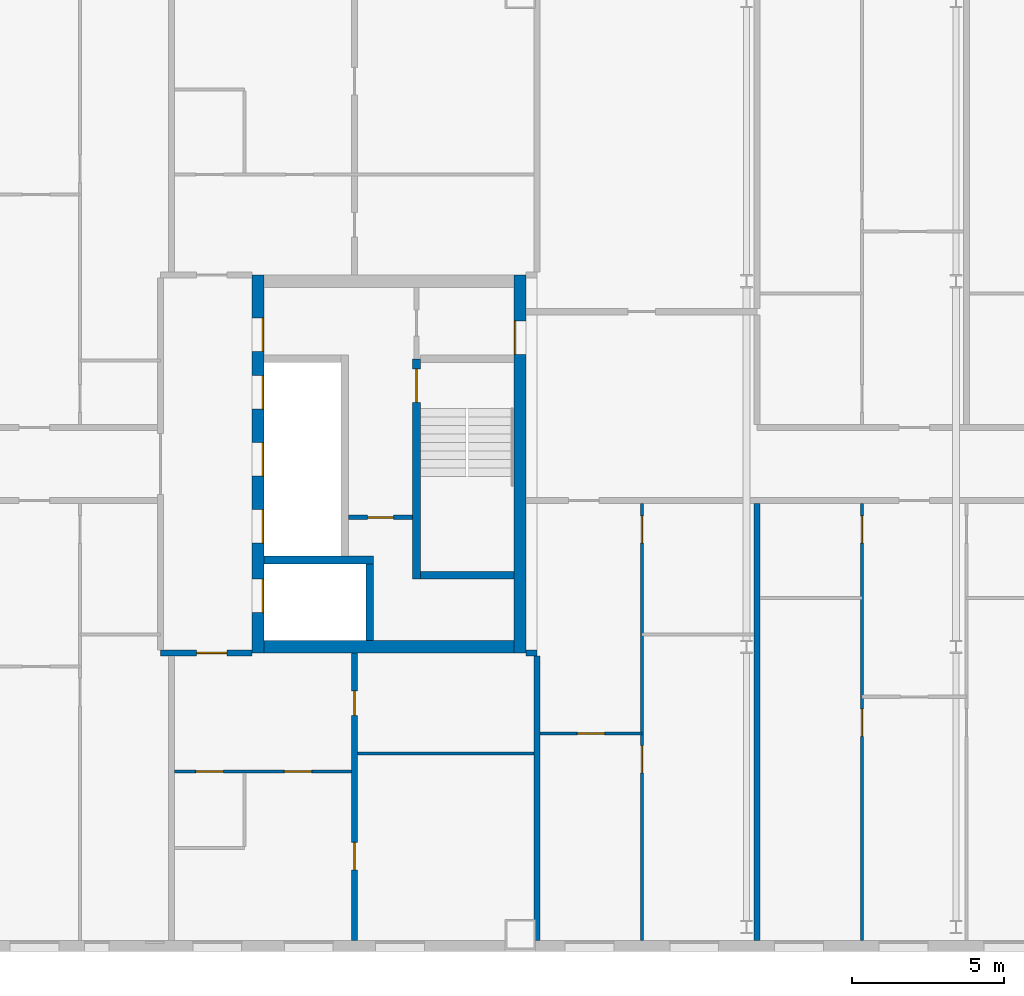
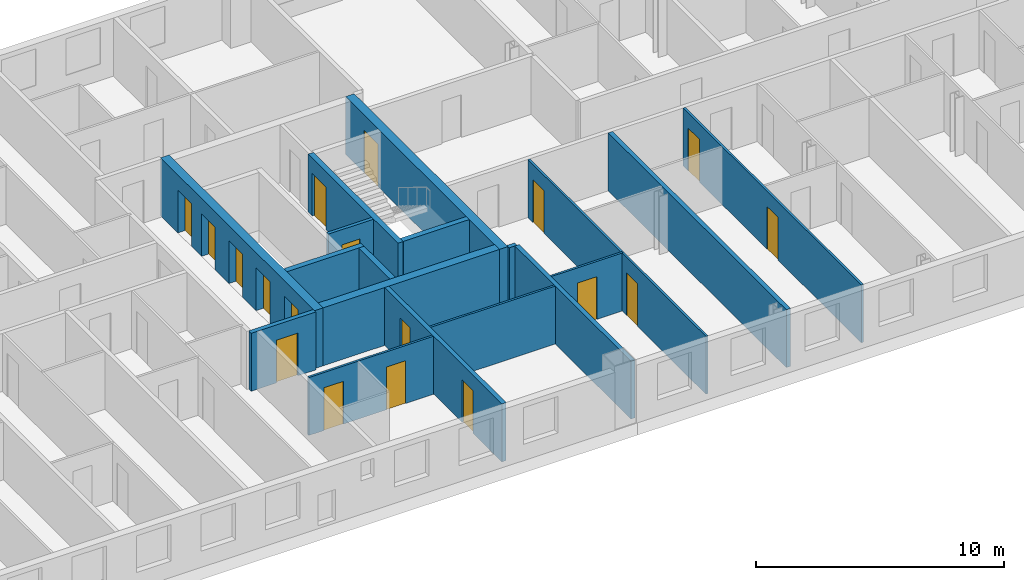
# One storey, part 8 of 19: 18 doors, 18 walls, 18 openings.
"""IFC4 building model written with IfcOpenShell, lengths in metres."""

from ifc_helpers import new_model, si_unit, direction, frame, frame_2d, origin, place, context, subcontext, project, spatial, rectangle, extrude, material, layer, layer_set, type_object, element, fill, save


model = new_model("IFC4")

# Units and contexts
model_context = context("Model", 3, precision=1e-05, world=origin(), true_north=direction((0.0, 1.0)))
body_context = subcontext(model_context, "Body", "Model", "MODEL_VIEW")
ifc_project = project(units=[si_unit("LENGTHUNIT", "METRE"), si_unit("AREAUNIT", "SQUARE_METRE"), si_unit("VOLUMEUNIT", "CUBIC_METRE"), si_unit("PLANEANGLEUNIT", "RADIAN"), si_unit("MASSUNIT", "GRAM", prefix="KILO")], contexts=[model_context])

# Site, building, storey
site_placement = place(None, origin())
site = spatial("IfcSite", under=ifc_project, at=site_placement, CompositionType="ELEMENT")
building_placement = place(site_placement, origin())
building = spatial("IfcBuilding", under=site, at=building_placement, Name="Tuart Gate Housing", CompositionType="ELEMENT")
storey_placement = place(building_placement, frame((0.0, 0.0, 221.39990234375)))
storey = spatial("IfcBuildingStorey", under=building, at=storey_placement, Name="L62", CompositionType="ELEMENT", Elevation=221.39990234375)

# Wall, opening, door
ifc_material_1 = material(Name="Plasterboard partition")
ifc_layer_1 = layer(ifc_material_1, 0.14990234375)
ifc_layer_set_1 = layer_set([ifc_layer_1], Name="Core partition 150")
wall_type_1 = type_object("IfcWallType", Name="Core partition 150", PredefinedType="PARTITIONING", material=ifc_layer_set_1)
wall_1_placement = place(storey_placement, frame((69.81494140625, 68.25, 0.0), z_axis=(0.0, 0.0, 1.0), x_axis=(1.0, 0.0, 0.0)))
wall_1 = element("IfcWall", 1, at=wall_1_placement, inside=storey, type_object=wall_type_1, Name="Core partition AG.3", PredefinedType="PARTITIONING", context=body_context, shape_type="SweptSolid", body=[
    extrude(rectangle(XDim=2.10009765625, YDim=0.14990234375, at=frame_2d((1.050048828125, 0.0))), origin(), (0.0, 0.0, 1.0), 2.85009765625),
])
opening_1_placement = place(wall_1_placement, frame((0.625, 0.0, 0.0)))
opening_1 = element("IfcOpeningElement", 2, at=opening_1_placement, cuts=wall_1, Name="Opening D2311", PredefinedType="OPENING", context=body_context, shape_type="SweptSolid", body=[
    extrude(rectangle(XDim=0.85009765625, YDim=2.10009765625, at=frame_2d((0.425048828125, 1.050048828125))), frame((0.0, 0.0849609375, 0.0), z_axis=(0.0, -1.0, 0.0), x_axis=(1.0, 0.0, 0.0)), (0.0, 0.0, 1.0), 0.169921875),
])
ifc_material_2 = material(Name="Steel fire door", Category="steel")
door_type_1 = type_object("IfcDoorType", Name="Riser door 850 x 2100 RH", OperationType="SINGLE_SWING_RIGHT", PredefinedType="DOOR", material=ifc_material_2)
door_1_placement = place(opening_1_placement, frame((0.85009765625, 0.0, 0.0), z_axis=(0.0, 0.0, 1.0), x_axis=(-1.0, 0.0, 0.0)))
door_1 = element("IfcDoor", 3, at=door_1_placement, inside=storey, type_object=door_type_1, Name="Service room door AG.E1", OperationType="SINGLE_SWING_RIGHT", OverallHeight=2.10009765625, OverallWidth=0.85009765625, PredefinedType="DOOR", context=body_context, shape_type="SweptSolid", body=[
    extrude(rectangle(XDim=0.85009765625, YDim=2.10009765625, at=frame_2d((0.425048828125, 1.050048828125))), frame((0.0, 0.025146484375, 0.0), z_axis=(0.0, -1.0, 0.0), x_axis=(1.0, 0.0, 0.0)), (0.0, 0.0, 1.0), 0.050048828125),
])
fill(opening_1, door_1)

# Walls
ifc_material_3 = material(Name="Concrete C40", Category="concrete")
ifc_layer_2 = layer(ifc_material_3, 0.25)
ifc_layer_set_2 = layer_set([ifc_layer_2], Name="Core wall 250 C40")
wall_type_2 = type_object("IfcWallType", Name="Core wall 250 C40", PredefinedType="SHEAR", material=ifc_layer_set_2)
wall_2_placement = place(storey_placement, frame((72.1650390625, 66.35009765625, 0.0), z_axis=(0.0, 0.0, 1.0), x_axis=(1.0, 0.0, 0.0)))
element("IfcWall", 4, at=wall_2_placement, inside=storey, type_object=wall_type_2, Name="Core wall AG.1", PredefinedType="SHEAR", context=body_context, shape_type="SweptSolid", body=[
    extrude(rectangle(XDim=3.074951171875, YDim=0.25, at=frame_2d((1.53759765625, 0.0))), origin(), (0.0, 0.0, 1.0), 2.85009765625),
])
wall_3_placement = place(storey_placement, frame((67.0400390625, 66.85009765625, 0.0), z_axis=(0.0, 0.0, 1.0), x_axis=(1.0, 0.0, 0.0)))
element("IfcWall", 5, at=wall_3_placement, inside=storey, type_object=wall_type_2, Name="Core wall AG.2", PredefinedType="SHEAR", context=body_context, shape_type="SweptSolid", body=[
    extrude(rectangle(XDim=3.594970703125, YDim=0.25, at=frame_2d((1.79736328125, 0.0))), origin(), (0.0, 0.0, 1.0), 2.85009765625),
])
wall_4_placement = place(storey_placement, frame((70.510009765625, 64.199951171875, 0.0), z_axis=(0.0, 0.0, 1.0), x_axis=(0.0, 1.0, 0.0)))
element("IfcWall", 6, at=wall_4_placement, inside=storey, type_object=wall_type_2, Name="Core wall AG.7", PredefinedType="SHEAR", context=body_context, shape_type="SweptSolid", body=[
    extrude(rectangle(XDim=2.525146484375, YDim=0.25, at=frame_2d((1.2626953125, 0.0))), origin(), (0.0, 0.0, 1.0), 2.85009765625),
])

# Wall, opening, door
wall_5_placement = place(storey_placement, frame((72.0400390625, 66.22509765625, 0.0), z_axis=(0.0, 0.0, 1.0), x_axis=(0.0, 1.0, 0.0)))
wall_5 = element("IfcWall", 7, at=wall_5_placement, inside=storey, type_object=wall_type_2, Name="Core wall AG.8", PredefinedType="SHEAR", context=body_context, shape_type="SweptSolid", body=[
    extrude(rectangle(XDim=7.224853515625, YDim=0.25, at=frame_2d((3.6123046875, 0.0))), origin(), (0.0, 0.0, 1.0), 2.85009765625),
])
opening_2_placement = place(wall_5_placement, frame((5.800048828125, 0.0, 0.0)))
opening_2 = element("IfcOpeningElement", 8, at=opening_2_placement, cuts=wall_5, Name="Opening D2307", PredefinedType="OPENING", context=body_context, shape_type="SweptSolid", body=[
    extrude(rectangle(XDim=1.10009765625, YDim=2.10009765625, at=frame_2d((0.550048828125, 1.050048828125))), frame((0.0, 0.135009765625, 0.0), z_axis=(0.0, -1.0, 0.0), x_axis=(1.0, 0.0, 0.0)), (0.0, 0.0, 1.0), 0.27001953125),
])
ifc_material_4 = material(Name="Steel fire door", Category="steel")
door_type_2 = type_object("IfcDoorType", Name="Stair door 1100 x 2100", OperationType="SINGLE_SWING_LEFT", PredefinedType="DOOR", material=ifc_material_4)
door_2_placement = place(opening_2_placement, frame((1.10009765625, 0.0, 0.0), z_axis=(0.0, 0.0, 1.0), x_axis=(-1.0, 0.0, 0.0)))
door_2 = element("IfcDoor", 9, at=door_2_placement, inside=storey, type_object=door_type_2, Name="Stair door AG.SD", OperationType="SINGLE_SWING_LEFT", OverallHeight=2.10009765625, OverallWidth=1.10009765625, PredefinedType="DOOR", context=body_context, shape_type="SweptSolid", body=[
    extrude(rectangle(XDim=1.10009765625, YDim=2.10009765625, at=frame_2d((0.550048828125, 1.050048828125))), frame((0.0, 0.025146484375, 0.0), z_axis=(0.0, -1.0, 0.0), x_axis=(1.0, 0.0, 0.0)), (0.0, 0.0, 1.0), 0.050048828125),
])
fill(opening_2, door_2)

# Wall, openings, doors
ifc_material_5 = material(Name="Concrete C40", Category="concrete")
ifc_layer_3 = layer(ifc_material_5, 0.39990234375)
ifc_layer_set_3 = layer_set([ifc_layer_3], Name="Core wall 400 C40")
wall_type_3 = type_object("IfcWallType", Name="Core wall 400 C40", PredefinedType="SHEAR", material=ifc_layer_set_3)
wall_6_placement = place(storey_placement, frame((66.840087890625, 63.800048828125, 0.0), z_axis=(0.0, 0.0, 1.0), x_axis=(0.0, 1.0, 0.0)))
wall_6 = element("IfcWall", 10, at=wall_6_placement, inside=storey, type_object=wall_type_3, Name="Core wall AG front", PredefinedType="SHEAR", context=body_context, shape_type="SweptSolid", body=[
    extrude(rectangle(XDim=12.39990234375, YDim=0.39990234375, at=frame_2d((6.199951171875, 0.0))), origin(), (0.0, 0.0, 1.0), 2.85009765625),
])
opening_3_placement = place(wall_6_placement, frame((1.324951171875, 0.0, 0.0)))
opening_3 = element("IfcOpeningElement", 11, at=opening_3_placement, cuts=wall_6, Name="Opening LD-FA1", PredefinedType="OPENING", context=body_context, shape_type="SweptSolid", body=[
    extrude(rectangle(XDim=1.10009765625, YDim=2.10009765625, at=frame_2d((0.550048828125, 1.050048828125))), frame((0.0, 0.2099609375, 0.0), z_axis=(0.0, -1.0, 0.0), x_axis=(1.0, 0.0, 0.0)), (0.0, 0.0, 1.0), 0.419921875),
])
opening_4_placement = place(wall_6_placement, frame((3.60009765625, 0.0, 0.0)))
opening_4 = element("IfcOpeningElement", 12, at=opening_4_placement, cuts=wall_6, Name="Opening LD-LA1", PredefinedType="OPENING", context=body_context, shape_type="SweptSolid", body=[
    extrude(rectangle(XDim=1.10009765625, YDim=2.10009765625, at=frame_2d((0.550048828125, 1.050048828125))), frame((0.0, 0.2099609375, 0.0), z_axis=(0.0, -1.0, 0.0), x_axis=(1.0, 0.0, 0.0)), (0.0, 0.0, 1.0), 0.419921875),
])
opening_5_placement = place(wall_6_placement, frame((5.800048828125, 0.0, 0.0)))
opening_5 = element("IfcOpeningElement", 13, at=opening_5_placement, cuts=wall_6, Name="Opening LD-LA2", PredefinedType="OPENING", context=body_context, shape_type="SweptSolid", body=[
    extrude(rectangle(XDim=1.10009765625, YDim=2.10009765625, at=frame_2d((0.550048828125, 1.050048828125))), frame((0.0, 0.2099609375, 0.0), z_axis=(0.0, -1.0, 0.0), x_axis=(1.0, 0.0, 0.0)), (0.0, 0.0, 1.0), 0.419921875),
])
opening_6_placement = place(wall_6_placement, frame((8.0, 0.0, 0.0)))
opening_6 = element("IfcOpeningElement", 14, at=opening_6_placement, cuts=wall_6, Name="Opening LD-LA3", PredefinedType="OPENING", context=body_context, shape_type="SweptSolid", body=[
    extrude(rectangle(XDim=1.10009765625, YDim=2.10009765625, at=frame_2d((0.550048828125, 1.050048828125))), frame((0.0, 0.2099609375, 0.0), z_axis=(0.0, -1.0, 0.0), x_axis=(1.0, 0.0, 0.0)), (0.0, 0.0, 1.0), 0.419921875),
])
opening_7_placement = place(wall_6_placement, frame((9.89990234375, 0.0, 0.0)))
opening_7 = element("IfcOpeningElement", 15, at=opening_7_placement, cuts=wall_6, Name="Opening D2305", PredefinedType="OPENING", context=body_context, shape_type="SweptSolid", body=[
    extrude(rectangle(XDim=1.10009765625, YDim=2.10009765625, at=frame_2d((0.550048828125, 1.050048828125))), frame((0.0, 0.2099609375, 0.0), z_axis=(0.0, -1.0, 0.0), x_axis=(1.0, 0.0, 0.0)), (0.0, 0.0, 1.0), 0.419921875),
])
ifc_material_6 = material(Name="Stainless steel", Category="steel")
door_type_3 = type_object("IfcDoorType", Name="Landing door 1100 x 2100", OperationType="DOUBLE_DOOR_SLIDING", PredefinedType="DOOR", material=ifc_material_6)
door_3_placement = place(opening_3_placement, origin())
door_3 = element("IfcDoor", 16, at=door_3_placement, inside=storey, type_object=door_type_3, Name="Lift landing door FA1", OperationType="DOUBLE_DOOR_SLIDING", OverallHeight=2.10009765625, OverallWidth=1.10009765625, PredefinedType="DOOR", context=body_context, shape_type="SweptSolid", body=[
    extrude(rectangle(XDim=1.10009765625, YDim=2.10009765625, at=frame_2d((0.550048828125, 1.050048828125))), frame((0.0, -0.134765625, 0.0), z_axis=(0.0, -1.0, 0.0), x_axis=(1.0, 0.0, 0.0)), (0.0, 0.0, 1.0), 0.050048828125),
])
fill(opening_3, door_3)
door_4_placement = place(opening_4_placement, origin())
door_4 = element("IfcDoor", 17, at=door_4_placement, inside=storey, type_object=door_type_3, Name="Lift landing door LA1", OperationType="DOUBLE_DOOR_SLIDING", OverallHeight=2.10009765625, OverallWidth=1.10009765625, PredefinedType="DOOR", context=body_context, shape_type="SweptSolid", body=[
    extrude(rectangle(XDim=1.10009765625, YDim=2.10009765625, at=frame_2d((0.550048828125, 1.050048828125))), frame((0.0, -0.134765625, 0.0), z_axis=(0.0, -1.0, 0.0), x_axis=(1.0, 0.0, 0.0)), (0.0, 0.0, 1.0), 0.050048828125),
])
fill(opening_4, door_4)
door_5_placement = place(opening_5_placement, origin())
door_5 = element("IfcDoor", 18, at=door_5_placement, inside=storey, type_object=door_type_3, Name="Lift landing door LA2", OperationType="DOUBLE_DOOR_SLIDING", OverallHeight=2.10009765625, OverallWidth=1.10009765625, PredefinedType="DOOR", context=body_context, shape_type="SweptSolid", body=[
    extrude(rectangle(XDim=1.10009765625, YDim=2.10009765625, at=frame_2d((0.550048828125, 1.050048828125))), frame((0.0, -0.134765625, 0.0), z_axis=(0.0, -1.0, 0.0), x_axis=(1.0, 0.0, 0.0)), (0.0, 0.0, 1.0), 0.050048828125),
])
fill(opening_5, door_5)
door_6_placement = place(opening_6_placement, origin())
door_6 = element("IfcDoor", 19, at=door_6_placement, inside=storey, type_object=door_type_3, Name="Lift landing door LA3", OperationType="DOUBLE_DOOR_SLIDING", OverallHeight=2.10009765625, OverallWidth=1.10009765625, PredefinedType="DOOR", context=body_context, shape_type="SweptSolid", body=[
    extrude(rectangle(XDim=1.10009765625, YDim=2.10009765625, at=frame_2d((0.550048828125, 1.050048828125))), frame((0.0, -0.134765625, 0.0), z_axis=(0.0, -1.0, 0.0), x_axis=(1.0, 0.0, 0.0)), (0.0, 0.0, 1.0), 0.050048828125),
])
fill(opening_6, door_6)
ifc_material_7 = material(Name="Steel fire door", Category="steel")
door_type_4 = type_object("IfcDoorType", Name="Lobby door 1100 x 2100 RH", OperationType="SINGLE_SWING_RIGHT", PredefinedType="DOOR", material=ifc_material_7)
door_7_placement = place(opening_7_placement, frame((1.10009765625, 0.0, 0.0), z_axis=(0.0, 0.0, 1.0), x_axis=(-1.0, 0.0, 0.0)))
door_7 = element("IfcDoor", 20, at=door_7_placement, inside=storey, type_object=door_type_4, Name="Lobby entry door AG.EN", OperationType="SINGLE_SWING_RIGHT", OverallHeight=2.10009765625, OverallWidth=1.10009765625, PredefinedType="DOOR", context=body_context, shape_type="SweptSolid", body=[
    extrude(rectangle(XDim=1.10009765625, YDim=2.10009765625, at=frame_2d((0.550048828125, 1.050048828125))), frame((0.0, 0.184814453125, 0.0), z_axis=(0.0, -1.0, 0.0), x_axis=(1.0, 0.0, 0.0)), (0.0, 0.0, 1.0), 0.050048828125),
])
fill(opening_7, door_7)

# Wall, opening, door
wall_7_placement = place(storey_placement, frame((75.43994140625, 63.800048828125, 0.0), z_axis=(0.0, 0.0, 1.0), x_axis=(0.0, 1.0, 0.0)))
wall_7 = element("IfcWall", 21, at=wall_7_placement, inside=storey, type_object=wall_type_3, Name="Core wall AG back", PredefinedType="SHEAR", context=body_context, shape_type="SweptSolid", body=[
    extrude(rectangle(XDim=12.39990234375, YDim=0.39990234375, at=frame_2d((6.199951171875, 0.0))), origin(), (0.0, 0.0, 1.0), 2.85009765625),
])
opening_8_placement = place(wall_7_placement, frame((9.800048828125, 0.0, 0.0)))
opening_8 = element("IfcOpeningElement", 22, at=opening_8_placement, cuts=wall_7, Name="Opening D2306", PredefinedType="OPENING", context=body_context, shape_type="SweptSolid", body=[
    extrude(rectangle(XDim=1.10009765625, YDim=2.10009765625, at=frame_2d((0.550048828125, 1.050048828125))), frame((0.0, 0.2099609375, 0.0), z_axis=(0.0, -1.0, 0.0), x_axis=(1.0, 0.0, 0.0)), (0.0, 0.0, 1.0), 0.419921875),
])
ifc_material_8 = material(Name="Steel fire door", Category="steel")
door_type_5 = type_object("IfcDoorType", Name="Lobby door 1100 x 2100", OperationType="SINGLE_SWING_LEFT", PredefinedType="DOOR", material=ifc_material_8)
door_8_placement = place(opening_8_placement, origin())
door_8 = element("IfcDoor", 23, at=door_8_placement, inside=storey, type_object=door_type_5, Name="Link door AG.LK", OperationType="SINGLE_SWING_LEFT", OverallHeight=2.10009765625, OverallWidth=1.10009765625, PredefinedType="DOOR", context=body_context, shape_type="SweptSolid", body=[
    extrude(rectangle(XDim=1.10009765625, YDim=2.10009765625, at=frame_2d((0.550048828125, 1.050048828125))), frame((0.0, 0.18505859375, 0.0), z_axis=(0.0, -1.0, 0.0), x_axis=(1.0, 0.0, 0.0)), (0.0, 0.0, 1.0), 0.050048828125),
])
fill(opening_8, door_8)

# Wall
wall_8_placement = place(storey_placement, frame((67.0400390625, 64.0, 0.0), z_axis=(0.0, 0.0, 1.0), x_axis=(1.0, 0.0, 0.0)))
element("IfcWall", 24, at=wall_8_placement, inside=storey, type_object=wall_type_3, Name="Core wall AG south", PredefinedType="SHEAR", context=body_context, shape_type="SweptSolid", body=[
    extrude(rectangle(XDim=8.199951171875, YDim=0.39990234375, at=frame_2d((4.10009765625, 0.0))), origin(), (0.0, 0.0, 1.0), 2.85009765625),
])

# Wall, opening, door
ifc_material_9 = material(Name="Concrete masonry 15 MPa", Category="masonry")
ifc_layer_4 = layer(ifc_material_9, 0.199951171875)
ifc_layer_set_4 = layer_set([ifc_layer_4], Name="Enclosure wall masonry 200")
wall_type_4 = type_object("IfcWallType", Name="Enclosure wall masonry 200", PredefinedType="PARTITIONING", material=ifc_layer_set_4)
wall_9_placement = place(storey_placement, frame((63.639892578125, 63.800048828125, 0.0), z_axis=(0.0, 0.0, 1.0), x_axis=(1.0, 0.0, 0.0)))
wall_9 = element("IfcWall", 25, at=wall_9_placement, inside=storey, type_object=wall_type_4, Name="Enclosure wall masonry 200", PredefinedType="PARTITIONING", context=body_context, shape_type="SweptSolid", body=[
    extrude(rectangle(XDim=3.0, YDim=0.199951171875, at=frame_2d((1.5, 0.0))), origin(), (0.0, 0.0, 1.0), 2.85009765625),
])
opening_9_placement = place(wall_9_placement, frame((1.179931640625, 0.0, 0.0)))
opening_9 = element("IfcOpeningElement", 26, at=opening_9_placement, cuts=wall_9, Name="Opening D2314", PredefinedType="OPENING", context=body_context, shape_type="SweptSolid", body=[
    extrude(rectangle(XDim=1.0, YDim=2.10009765625, at=frame_2d((0.5, 1.050048828125))), frame((0.0, 0.10986328125, 0.0), z_axis=(0.0, -1.0, 0.0), x_axis=(1.0, 0.0, 0.0)), (0.0, 0.0, 1.0), 0.219970703125),
])
ifc_material_10 = material(Name="Timber door leaf in steel frame", Category="steel")
door_type_6 = type_object("IfcDoorType", Name="Flat entrance door 1000 RH", OperationType="SINGLE_SWING_RIGHT", PredefinedType="DOOR", material=ifc_material_10)
door_9_placement = place(opening_9_placement, frame((1.0, 0.0, 0.0), z_axis=(0.0, 0.0, 1.0), x_axis=(-1.0, 0.0, 0.0)))
door_9 = element("IfcDoor", 27, at=door_9_placement, inside=storey, type_object=door_type_6, Name="Flat entrance door", OperationType="SINGLE_SWING_RIGHT", OverallHeight=2.10009765625, OverallWidth=1.0, PredefinedType="DOOR", context=body_context, shape_type="SweptSolid", body=[
    extrude(rectangle(XDim=1.0, YDim=2.10009765625, at=frame_2d((0.5, 1.050048828125))), frame((0.0, 0.025146484375, 0.0), z_axis=(0.0, -1.0, 0.0), x_axis=(1.0, 0.0, 0.0)), (0.0, 0.0, 1.0), 0.050048828125),
])
fill(opening_9, door_9)

# Wall, openings, doors
ifc_material_11 = material(Name="Gypsum board on steel studs", Category="steel")
ifc_layer_5 = layer(ifc_material_11, 0.10009765625)
ifc_layer_set_5 = layer_set([ifc_layer_5], Name="Partition 100")
wall_type_5 = type_object("IfcWallType", Name="Partition 100", PredefinedType="PARTITIONING", material=ifc_layer_set_5)
wall_10_placement = place(storey_placement, frame((64.10009765625, 59.89990234375, 0.0), z_axis=(0.0, 0.0, 1.0), x_axis=(1.0, 0.0, 0.0)))
wall_10 = element("IfcWall", 28, at=wall_10_placement, inside=storey, type_object=wall_type_5, Name="Partition 100", PredefinedType="PARTITIONING", context=body_context, shape_type="SweptSolid", body=[
    extrude(rectangle(XDim=5.7998046875, YDim=0.10009765625, at=frame_2d((2.89990234375, 0.0))), origin(), (0.0, 0.0, 1.0), 2.85009765625),
])
opening_10_placement = place(wall_10_placement, frame((3.60009765625, 0.0, 0.0)))
opening_10 = element("IfcOpeningElement", 29, at=opening_10_placement, cuts=wall_10, Name="Opening D2326", PredefinedType="OPENING", context=body_context, shape_type="SweptSolid", body=[
    extrude(rectangle(XDim=0.89990234375, YDim=2.10009765625, at=frame_2d((0.449951171875, 1.050048828125))), frame((0.0, 0.06005859375, 0.0), z_axis=(0.0, -1.0, 0.0), x_axis=(1.0, 0.0, 0.0)), (0.0, 0.0, 1.0), 0.1201171875),
])
opening_11_placement = place(wall_10_placement, frame((0.699951171875, 0.0, 0.0)))
opening_11 = element("IfcOpeningElement", 30, at=opening_11_placement, cuts=wall_10, Name="Opening D2325", PredefinedType="OPENING", context=body_context, shape_type="SweptSolid", body=[
    extrude(rectangle(XDim=0.89990234375, YDim=2.10009765625, at=frame_2d((0.449951171875, 1.050048828125))), frame((0.0, 0.06005859375, 0.0), z_axis=(0.0, -1.0, 0.0), x_axis=(1.0, 0.0, 0.0)), (0.0, 0.0, 1.0), 0.1201171875),
])
ifc_material_12 = material(Name="Timber door leaf in steel frame", Category="steel")
door_type_7 = type_object("IfcDoorType", Name="Bathroom door 900", OperationType="SINGLE_SWING_LEFT", PredefinedType="DOOR", material=ifc_material_12)
door_10_placement = place(opening_11_placement, frame((0.89990234375, 0.0, 0.0), z_axis=(0.0, 0.0, 1.0), x_axis=(-1.0, 0.0, 0.0)))
door_10 = element("IfcDoor", 31, at=door_10_placement, inside=storey, type_object=door_type_7, Name="Bathroom door", OperationType="SINGLE_SWING_LEFT", OverallHeight=2.10009765625, OverallWidth=0.89990234375, PredefinedType="DOOR", context=body_context, shape_type="SweptSolid", body=[
    extrude(rectangle(XDim=0.89990234375, YDim=2.10009765625, at=frame_2d((0.449951171875, 1.050048828125))), frame((0.0, 0.025146484375, 0.0), z_axis=(0.0, -1.0, 0.0), x_axis=(1.0, 0.0, 0.0)), (0.0, 0.0, 1.0), 0.050048828125),
])
fill(opening_11, door_10)
ifc_material_13 = material(Name="Timber door leaf in steel frame", Category="steel")
door_type_8 = type_object("IfcDoorType", Name="Internal door 900 RH", OperationType="SINGLE_SWING_RIGHT", PredefinedType="DOOR", material=ifc_material_13)
door_11_placement = place(opening_10_placement, origin())
door_11 = element("IfcDoor", 32, at=door_11_placement, inside=storey, type_object=door_type_8, Name="Internal door", OperationType="SINGLE_SWING_RIGHT", OverallHeight=2.10009765625, OverallWidth=0.89990234375, PredefinedType="DOOR", context=body_context, shape_type="SweptSolid", body=[
    extrude(rectangle(XDim=0.89990234375, YDim=2.10009765625, at=frame_2d((0.449951171875, 1.050048828125))), frame((0.0, 0.02490234375, 0.0), z_axis=(0.0, -1.0, 0.0), x_axis=(1.0, 0.0, 0.0)), (0.0, 0.0, 1.0), 0.050048828125),
])
fill(opening_10, door_11)

# Wall
wall_11_placement = place(storey_placement, frame((70.10009765625, 60.5, 0.0), z_axis=(0.0, 0.0, 1.0), x_axis=(1.0, 0.0, 0.0)))
element("IfcWall", 33, at=wall_11_placement, inside=storey, type_object=wall_type_5, Name="Partition 100", PredefinedType="PARTITIONING", context=body_context, shape_type="SweptSolid", body=[
    extrude(rectangle(XDim=5.7998046875, YDim=0.10009765625, at=frame_2d((2.89990234375, 0.0))), origin(), (0.0, 0.0, 1.0), 2.85009765625),
])

# Wall, opening, door
wall_12_placement = place(storey_placement, frame((76.10009765625, 61.159912109375, 0.0), z_axis=(0.0, 0.0, 1.0), x_axis=(1.0, 0.0, 0.0)))
wall_12 = element("IfcWall", 34, at=wall_12_placement, inside=storey, type_object=wall_type_5, Name="Partition 100", PredefinedType="PARTITIONING", context=body_context, shape_type="SweptSolid", body=[
    extrude(rectangle(XDim=3.337890625, YDim=0.10009765625, at=frame_2d((1.6689453125, 0.0))), origin(), (0.0, 0.0, 1.0), 2.85009765625),
])
opening_12_placement = place(wall_12_placement, frame((1.218994140625, 0.0, 0.0)))
opening_12 = element("IfcOpeningElement", 35, at=opening_12_placement, cuts=wall_12, Name="Opening D2388", PredefinedType="OPENING", context=body_context, shape_type="SweptSolid", body=[
    extrude(rectangle(XDim=0.89990234375, YDim=2.10009765625, at=frame_2d((0.449951171875, 1.050048828125))), frame((0.0, 0.06005859375, 0.0), z_axis=(0.0, -1.0, 0.0), x_axis=(1.0, 0.0, 0.0)), (0.0, 0.0, 1.0), 0.1201171875),
])
door_12_placement = place(opening_12_placement, origin())
door_12 = element("IfcDoor", 36, at=door_12_placement, inside=storey, type_object=door_type_8, Name="Internal door", OperationType="SINGLE_SWING_RIGHT", OverallHeight=2.10009765625, OverallWidth=0.89990234375, PredefinedType="DOOR", context=body_context, shape_type="SweptSolid", body=[
    extrude(rectangle(XDim=0.89990234375, YDim=2.10009765625, at=frame_2d((0.449951171875, 1.050048828125))), frame((0.0, 0.02490234375, 0.0), z_axis=(0.0, -1.0, 0.0), x_axis=(1.0, 0.0, 0.0)), (0.0, 0.0, 1.0), 0.050048828125),
])
fill(opening_12, door_12)

# Wall, openings, doors
wall_13_placement = place(storey_placement, frame((79.43798828125, 54.360107421875, 0.0), z_axis=(0.0, 0.0, 1.0), x_axis=(0.0, 1.0, 0.0)))
wall_13 = element("IfcWall", 37, at=wall_13_placement, inside=storey, type_object=wall_type_5, Name="Partition 100", PredefinedType="PARTITIONING", context=body_context, shape_type="SweptSolid", body=[
    extrude(rectangle(XDim=14.33984375, YDim=0.10009765625, at=frame_2d((7.169921875, 0.0))), origin(), (0.0, 0.0, 1.0), 2.85009765625),
])
opening_13_placement = place(wall_13_placement, frame((5.5, 0.0, 0.0)))
opening_13 = element("IfcOpeningElement", 38, at=opening_13_placement, cuts=wall_13, Name="Opening D2371", PredefinedType="OPENING", context=body_context, shape_type="SweptSolid", body=[
    extrude(rectangle(XDim=0.89990234375, YDim=2.10009765625, at=frame_2d((0.449951171875, 1.050048828125))), frame((0.0, 0.06005859375, 0.0), z_axis=(0.0, -1.0, 0.0), x_axis=(1.0, 0.0, 0.0)), (0.0, 0.0, 1.0), 0.1201171875),
])
opening_14_placement = place(wall_13_placement, frame((13.0400390625, 0.0, 0.0)))
opening_14 = element("IfcOpeningElement", 39, at=opening_14_placement, cuts=wall_13, Name="Opening D2370", PredefinedType="OPENING", context=body_context, shape_type="SweptSolid", body=[
    extrude(rectangle(XDim=0.89990234375, YDim=2.10009765625, at=frame_2d((0.449951171875, 1.050048828125))), frame((0.0, 0.06005859375, 0.0), z_axis=(0.0, -1.0, 0.0), x_axis=(1.0, 0.0, 0.0)), (0.0, 0.0, 1.0), 0.1201171875),
])
door_13_placement = place(opening_14_placement, frame((0.89990234375, 0.0, 0.0), z_axis=(0.0, 0.0, 1.0), x_axis=(-1.0, 0.0, 0.0)))
door_13 = element("IfcDoor", 40, at=door_13_placement, inside=storey, type_object=door_type_7, Name="Bathroom door", OperationType="SINGLE_SWING_LEFT", OverallHeight=2.10009765625, OverallWidth=0.89990234375, PredefinedType="DOOR", context=body_context, shape_type="SweptSolid", body=[
    extrude(rectangle(XDim=0.89990234375, YDim=2.10009765625, at=frame_2d((0.449951171875, 1.050048828125))), frame((0.0, 0.025146484375, 0.0), z_axis=(0.0, -1.0, 0.0), x_axis=(1.0, 0.0, 0.0)), (0.0, 0.0, 1.0), 0.050048828125),
])
fill(opening_14, door_13)
ifc_material_14 = material(Name="Timber door leaf in steel frame", Category="steel")
door_type_9 = type_object("IfcDoorType", Name="Internal door 900", OperationType="SINGLE_SWING_LEFT", PredefinedType="DOOR", material=ifc_material_14)
door_14_placement = place(opening_13_placement, frame((0.89990234375, 0.0, 0.0), z_axis=(0.0, 0.0, 1.0), x_axis=(-1.0, 0.0, 0.0)))
door_14 = element("IfcDoor", 41, at=door_14_placement, inside=storey, type_object=door_type_9, Name="Internal door", OperationType="SINGLE_SWING_LEFT", OverallHeight=2.10009765625, OverallWidth=0.89990234375, PredefinedType="DOOR", context=body_context, shape_type="SweptSolid", body=[
    extrude(rectangle(XDim=0.89990234375, YDim=2.10009765625, at=frame_2d((0.449951171875, 1.050048828125))), frame((0.0, 0.025146484375, 0.0), z_axis=(0.0, -1.0, 0.0), x_axis=(1.0, 0.0, 0.0)), (0.0, 0.0, 1.0), 0.050048828125),
])
fill(opening_13, door_14)

wall_14_placement = place(storey_placement, frame((86.662109375, 54.360107421875, 0.0), z_axis=(0.0, 0.0, 1.0), x_axis=(0.0, 1.0, 0.0)))
wall_14 = element("IfcWall", 42, at=wall_14_placement, inside=storey, type_object=wall_type_5, Name="Partition 100", PredefinedType="PARTITIONING", context=body_context, shape_type="SweptSolid", body=[
    extrude(rectangle(XDim=14.33984375, YDim=0.10009765625, at=frame_2d((7.169921875, 0.0))), origin(), (0.0, 0.0, 1.0), 2.85009765625),
])
opening_15_placement = place(wall_14_placement, frame((6.699951171875, 0.0, 0.0)))
opening_15 = element("IfcOpeningElement", 43, at=opening_15_placement, cuts=wall_14, Name="Opening D2373", PredefinedType="OPENING", context=body_context, shape_type="SweptSolid", body=[
    extrude(rectangle(XDim=0.89990234375, YDim=2.10009765625, at=frame_2d((0.449951171875, 1.050048828125))), frame((0.0, 0.06005859375, 0.0), z_axis=(0.0, -1.0, 0.0), x_axis=(1.0, 0.0, 0.0)), (0.0, 0.0, 1.0), 0.1201171875),
])
opening_16_placement = place(wall_14_placement, frame((13.0400390625, 0.0, 0.0)))
opening_16 = element("IfcOpeningElement", 44, at=opening_16_placement, cuts=wall_14, Name="Opening D2372", PredefinedType="OPENING", context=body_context, shape_type="SweptSolid", body=[
    extrude(rectangle(XDim=0.89990234375, YDim=2.10009765625, at=frame_2d((0.449951171875, 1.050048828125))), frame((0.0, 0.06005859375, 0.0), z_axis=(0.0, -1.0, 0.0), x_axis=(1.0, 0.0, 0.0)), (0.0, 0.0, 1.0), 0.1201171875),
])
ifc_material_15 = material(Name="Timber door leaf in steel frame", Category="steel")
door_type_10 = type_object("IfcDoorType", Name="Bathroom door 900 RH", OperationType="SINGLE_SWING_RIGHT", PredefinedType="DOOR", material=ifc_material_15)
door_15_placement = place(opening_16_placement, origin())
door_15 = element("IfcDoor", 45, at=door_15_placement, inside=storey, type_object=door_type_10, Name="Bathroom door", OperationType="SINGLE_SWING_RIGHT", OverallHeight=2.10009765625, OverallWidth=0.89990234375, PredefinedType="DOOR", context=body_context, shape_type="SweptSolid", body=[
    extrude(rectangle(XDim=0.89990234375, YDim=2.10009765625, at=frame_2d((0.449951171875, 1.050048828125))), frame((0.0, 0.02490234375, 0.0), z_axis=(0.0, -1.0, 0.0), x_axis=(1.0, 0.0, 0.0)), (0.0, 0.0, 1.0), 0.050048828125),
])
fill(opening_16, door_15)
door_16_placement = place(opening_15_placement, origin())
door_16 = element("IfcDoor", 46, at=door_16_placement, inside=storey, type_object=door_type_8, Name="Internal door", OperationType="SINGLE_SWING_RIGHT", OverallHeight=2.10009765625, OverallWidth=0.89990234375, PredefinedType="DOOR", context=body_context, shape_type="SweptSolid", body=[
    extrude(rectangle(XDim=0.89990234375, YDim=2.10009765625, at=frame_2d((0.449951171875, 1.050048828125))), frame((0.0, 0.02490234375, 0.0), z_axis=(0.0, -1.0, 0.0), x_axis=(1.0, 0.0, 0.0)), (0.0, 0.0, 1.0), 0.050048828125),
])
fill(opening_15, door_16)

ifc_material_16 = material(Name="Concrete C40", Category="concrete")
ifc_layer_6 = layer(ifc_material_16, 0.199951171875)
ifc_layer_set_6 = layer_set([ifc_layer_6], Name="Party wall concrete C40 200")
wall_type_6 = type_object("IfcWallType", Name="Party wall concrete C40 200", PredefinedType="SOLIDWALL", material=ifc_layer_set_6)
wall_15_placement = place(storey_placement, frame((70.0, 54.360107421875, 0.0), z_axis=(0.0, 0.0, 1.0), x_axis=(0.0, 1.0, 0.0)))
wall_15 = element("IfcWall", 47, at=wall_15_placement, inside=storey, type_object=wall_type_6, Name="Party wall concrete C40 200", PredefinedType="SOLIDWALL", context=body_context, shape_type="SweptSolid", body=[
    extrude(rectangle(XDim=9.43994140625, YDim=0.199951171875, at=frame_2d((4.719970703125, 0.0))), origin(), (0.0, 0.0, 1.0), 2.85009765625),
])
opening_17_placement = place(wall_15_placement, frame((2.320068359375, 0.0, 0.0)))
opening_17 = element("IfcOpeningElement", 48, at=opening_17_placement, cuts=wall_15, Name="Opening D2331", PredefinedType="OPENING", context=body_context, shape_type="SweptSolid", body=[
    extrude(rectangle(XDim=0.89990234375, YDim=2.10009765625, at=frame_2d((0.449951171875, 1.050048828125))), frame((0.0, 0.10986328125, 0.0), z_axis=(0.0, -1.0, 0.0), x_axis=(1.0, 0.0, 0.0)), (0.0, 0.0, 1.0), 0.219970703125),
])
opening_18_placement = place(wall_15_placement, frame((7.389892578125, 0.0, 0.0)))
opening_18 = element("IfcOpeningElement", 49, at=opening_18_placement, cuts=wall_15, Name="Opening D2332", PredefinedType="OPENING", context=body_context, shape_type="SweptSolid", body=[
    extrude(rectangle(XDim=0.800048828125, YDim=2.10009765625, at=frame_2d((0.39990234375, 1.050048828125))), frame((0.0, 0.10986328125, 0.0), z_axis=(0.0, -1.0, 0.0), x_axis=(1.0, 0.0, 0.0)), (0.0, 0.0, 1.0), 0.219970703125),
])
door_17_placement = place(opening_17_placement, frame((0.89990234375, 0.0, 0.0), z_axis=(0.0, 0.0, 1.0), x_axis=(-1.0, 0.0, 0.0)))
door_17 = element("IfcDoor", 50, at=door_17_placement, inside=storey, type_object=door_type_8, Name="Internal door", OperationType="SINGLE_SWING_RIGHT", OverallHeight=2.10009765625, OverallWidth=0.89990234375, PredefinedType="DOOR", context=body_context, shape_type="SweptSolid", body=[
    extrude(rectangle(XDim=0.89990234375, YDim=2.10009765625, at=frame_2d((0.449951171875, 1.050048828125))), frame((0.0, 0.025146484375, 0.0), z_axis=(0.0, -1.0, 0.0), x_axis=(1.0, 0.0, 0.0)), (0.0, 0.0, 1.0), 0.050048828125),
])
fill(opening_17, door_17)
ifc_material_17 = material(Name="Timber door leaf in steel frame", Category="steel")
door_type_11 = type_object("IfcDoorType", Name="Store door 800 RH", OperationType="SINGLE_SWING_RIGHT", PredefinedType="DOOR", material=ifc_material_17)
door_18_placement = place(opening_18_placement, frame((0.800048828125, 0.0, 0.0), z_axis=(0.0, 0.0, 1.0), x_axis=(-1.0, 0.0, 0.0)))
door_18 = element("IfcDoor", 51, at=door_18_placement, inside=storey, type_object=door_type_11, Name="Store door", OperationType="SINGLE_SWING_RIGHT", OverallHeight=2.10009765625, OverallWidth=0.800048828125, PredefinedType="DOOR", context=body_context, shape_type="SweptSolid", body=[
    extrude(rectangle(XDim=0.800048828125, YDim=2.10009765625, at=frame_2d((0.400146484375, 1.050048828125))), frame((0.0, 0.025146484375, 0.0), z_axis=(0.0, -1.0, 0.0), x_axis=(1.0, 0.0, 0.0)), (0.0, 0.0, 1.0), 0.050048828125),
])
fill(opening_18, door_18)

# Walls
ifc_material_18 = material(Name="Concrete masonry 15 MPa", Category="masonry")
ifc_layer_7 = layer(ifc_material_18, 0.199951171875)
ifc_layer_set_7 = layer_set([ifc_layer_7], Name="Party wall masonry 200")
wall_type_7 = type_object("IfcWallType", Name="Party wall masonry 200", PredefinedType="PARTITIONING", material=ifc_layer_set_7)
wall_16_placement = place(storey_placement, frame((75.639892578125, 63.800048828125, 0.0), z_axis=(0.0, 0.0, 1.0), x_axis=(1.0, 0.0, 0.0)))
element("IfcWall", 52, at=wall_16_placement, inside=storey, type_object=wall_type_7, Name="Party wall masonry 200", PredefinedType="PARTITIONING", context=body_context, shape_type="SweptSolid", body=[
    extrude(rectangle(XDim=0.360107421875, YDim=0.199951171875, at=frame_2d((0.18017578125, 0.0))), origin(), (0.0, 0.0, 1.0), 2.85009765625),
])
wall_17_placement = place(storey_placement, frame((76.0, 54.360107421875, 0.0), z_axis=(0.0, 0.0, 1.0), x_axis=(0.0, 1.0, 0.0)))
element("IfcWall", 53, at=wall_17_placement, inside=storey, type_object=wall_type_7, Name="Party wall masonry 200", PredefinedType="PARTITIONING", context=body_context, shape_type="SweptSolid", body=[
    extrude(rectangle(XDim=9.33984375, YDim=0.199951171875, at=frame_2d((4.669921875, 0.0))), origin(), (0.0, 0.0, 1.0), 2.85009765625),
])
wall_18_placement = place(storey_placement, frame((83.22509765625, 54.360107421875, 0.0), z_axis=(0.0, 0.0, 1.0), x_axis=(0.0, 1.0, 0.0)))
element("IfcWall", 54, at=wall_18_placement, inside=storey, type_object=wall_type_7, Name="Party wall masonry 200", PredefinedType="PARTITIONING", context=body_context, shape_type="SweptSolid", body=[
    extrude(rectangle(XDim=14.33984375, YDim=0.199951171875, at=frame_2d((7.169921875, 0.0))), origin(), (0.0, 0.0, 1.0), 2.85009765625),
])

save(model, "model.ifc")
